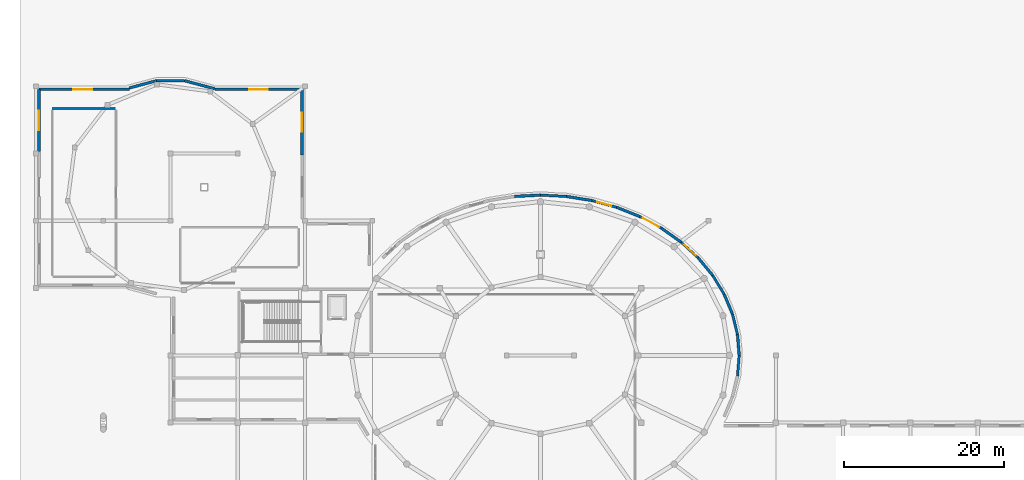
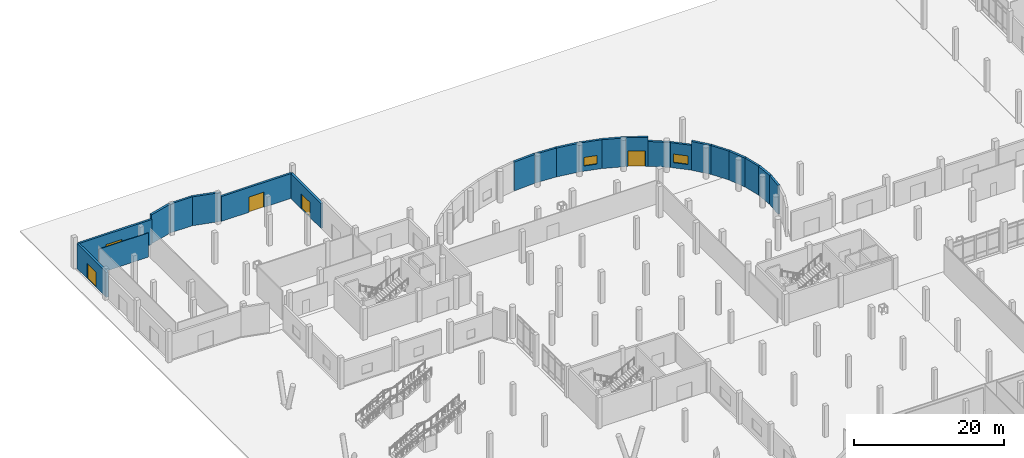
# One storey, part 49 of 64: 22 walls, 5 doors, 2 windows, 7 openings.
"""IFC4 building model written with IfcOpenShell, lengths in metres."""

from ifc_helpers import new_model, si_unit, derived_unit, direction, frame, frame_2d, origin, place, context, subcontext, project, spatial, rectangle, extrude, material, layer, layer_set, type_object, element, fill, save


model = new_model("IFC4")

# Units and contexts
model_context = context("Model", 3, precision=1e-05, world=origin(), true_north=direction((0.0, 1.0)))
body_context = subcontext(model_context, "Body", "Model", "MODEL_VIEW")
ifc_project = project(units=[si_unit("LENGTHUNIT", "METRE"), si_unit("AREAUNIT", "SQUARE_METRE"), si_unit("VOLUMEUNIT", "CUBIC_METRE"), si_unit("PLANEANGLEUNIT", "RADIAN"), si_unit("MASSUNIT", "GRAM", prefix="KILO"), derived_unit("THERMALTRANSMITTANCEUNIT", [(si_unit("POWERUNIT", "WATT"), 1), (si_unit("LENGTHUNIT", "METRE"), -2), (si_unit("THERMODYNAMICTEMPERATUREUNIT", "KELVIN"), -1)])], contexts=[model_context])

# Site, building, storey
site_placement = place(None, origin())
site = spatial("IfcSite", under=ifc_project, at=site_placement, CompositionType="ELEMENT")
building_placement = place(site_placement, origin())
building = spatial("IfcBuilding", under=site, at=building_placement, Name="Elbkamm Science Centre", CompositionType="ELEMENT")
storey_placement = place(building_placement, origin())
storey = spatial("IfcBuildingStorey", under=building, at=storey_placement, Name="L00", CompositionType="ELEMENT", Elevation=0.0)

# Wall, opening, door
ifc_material_1 = material(Name="White precast concrete C40/50", Category="concrete")
ifc_layer_1 = layer(ifc_material_1, 0.31005859375)
ifc_layer_set_1 = layer_set([ifc_layer_1], Name="White precast concrete C40/50")
wall_type_1 = type_object("IfcWallType", Name="WL-EXT-310", PredefinedType="SOLIDWALL", material=ifc_layer_set_1)
wall_1_placement = place(storey_placement, frame((0.3798828125, 100.419921875, 0.0), z_axis=(0.0, 0.0, 1.0), x_axis=(1.0, 0.0, 0.0)))
wall_1 = element("IfcWall", 1, at=wall_1_placement, inside=storey, type_object=wall_type_1, Name="L00 Exterior Wall 0101", PredefinedType="SOLIDWALL", context=body_context, shape_type="SweptSolid", body=[
    extrude(rectangle(XDim=11.294921875, YDim=0.31005859375, at=frame_2d((5.6474609375, 0.0))), origin(), (0.0, 0.0, 1.0), 4.080078125),
])
opening_1_placement = place(wall_1_placement, frame((4.239990234375, 0.0, 0.0)))
opening_1 = element("IfcOpeningElement", 2, at=opening_1_placement, cuts=wall_1, Name="Opening EX-05", PredefinedType="OPENING", context=body_context, shape_type="SweptSolid", body=[
    extrude(rectangle(XDim=2.39990234375, YDim=2.449951171875, at=frame_2d((1.199951171875, 1.22509765625))), frame((0.0, 0.1669921875, 0.0), z_axis=(0.0, -1.0, 0.0), x_axis=(1.0, 0.0, 0.0)), (0.0, 0.0, 1.0), 0.333984375),
])
ifc_material_2 = material(Name="Powder-coated aluminium and laminated glass", Category="aluminium")
ifc_layer_2 = layer(ifc_material_2, 0.050048828125)
ifc_layer_set_2 = layer_set([ifc_layer_2], Name="Powder-coated aluminium and laminated glass")
door_type_1 = type_object("IfcDoorType", Name="DR-EXIT-2400x2450", OperationType="DOUBLE_DOOR_SINGLE_SWING", PredefinedType="DOOR", material=ifc_layer_set_2)
door_1_placement = place(opening_1_placement, origin())
door_1 = element("IfcDoor", 3, at=door_1_placement, inside=storey, type_object=door_type_1, Name="Final Exit Pedestrian Door EX-05", OperationType="DOUBLE_DOOR_SINGLE_SWING", OverallHeight=2.449951171875, OverallWidth=2.39990234375, PredefinedType="DOOR", context=body_context, shape_type="SweptSolid", body=[
    extrude(rectangle(XDim=2.39990234375, YDim=2.449951171875, at=frame_2d((1.199951171875, 1.22509765625))), frame((0.0, 0.02490234375, 0.0), z_axis=(0.0, -1.0, 0.0), x_axis=(1.0, 0.0, 0.0)), (0.0, 0.0, 1.0), 0.050048828125),
])
fill(opening_1, door_1)

# Wall
wall_2_placement = place(storey_placement, frame((15.048583984375, 101.501953125, 0.0), z_axis=(0.0, 0.0, 1.0), x_axis=(1.0, 0.0, 0.0)))
element("IfcWall", 4, at=wall_2_placement, inside=storey, type_object=wall_type_1, Name="L00 Exterior Wall 0103", PredefinedType="SOLIDWALL", context=body_context, shape_type="SweptSolid", body=[
    extrude(rectangle(XDim=3.502685546875, YDim=0.31005859375, at=frame_2d((1.75146484375, 0.0))), origin(), (0.0, 0.0, 1.0), 4.699951171875),
])

# Wall, opening, door
wall_3_placement = place(storey_placement, frame((22.340087890625, 100.419921875, 0.0), z_axis=(0.0, 0.0, 1.0), x_axis=(1.0, 0.0, 0.0)))
wall_3 = element("IfcWall", 5, at=wall_3_placement, inside=storey, type_object=wall_type_1, Name="L00 Exterior Wall 0105", PredefinedType="SOLIDWALL", context=body_context, shape_type="SweptSolid", body=[
    extrude(rectangle(XDim=10.8798828125, YDim=0.31005859375, at=frame_2d((5.43994140625, 0.0))), origin(), (0.0, 0.0, 1.0), 4.050048828125),
])
opening_2_placement = place(wall_3_placement, frame((4.2900390625, 0.0, 0.0)))
opening_2 = element("IfcOpeningElement", 6, at=opening_2_placement, cuts=wall_3, Name="Opening EX-06", PredefinedType="OPENING", context=body_context, shape_type="SweptSolid", body=[
    extrude(rectangle(XDim=2.300048828125, YDim=2.5, at=frame_2d((1.14990234375, 1.25))), frame((0.0, 0.1669921875, 0.0), z_axis=(0.0, -1.0, 0.0), x_axis=(1.0, 0.0, 0.0)), (0.0, 0.0, 1.0), 0.333984375),
])
ifc_layer_3 = layer(ifc_material_2, 0.050048828125)
ifc_layer_set_3 = layer_set([ifc_layer_3], Name="Powder-coated aluminium and laminated glass")
door_type_2 = type_object("IfcDoorType", Name="DR-EXIT-2300x2500", OperationType="DOUBLE_DOOR_SINGLE_SWING", PredefinedType="DOOR", material=ifc_layer_set_3)
door_2_placement = place(opening_2_placement, origin())
door_2 = element("IfcDoor", 7, at=door_2_placement, inside=storey, type_object=door_type_2, Name="Final Exit Pedestrian Door EX-06", OperationType="DOUBLE_DOOR_SINGLE_SWING", OverallHeight=2.5, OverallWidth=2.300048828125, PredefinedType="DOOR", context=body_context, shape_type="SweptSolid", body=[
    extrude(rectangle(XDim=2.300048828125, YDim=2.5, at=frame_2d((1.14990234375, 1.25))), frame((0.0, 0.02490234375, 0.0), z_axis=(0.0, -1.0, 0.0), x_axis=(1.0, 0.0, 0.0)), (0.0, 0.0, 1.0), 0.050048828125),
])
fill(opening_2, door_2)

# Wall
wall_4_placement = place(storey_placement, frame((63.0, 87.219482421875, 0.0), z_axis=(0.0, 0.0, 1.0), x_axis=(0.998595559221, -0.052980270896, 0.0)))
element("IfcWall", 8, at=wall_4_placement, inside=storey, type_object=wall_type_1, Name="L00 Exterior Wall 0117", PredefinedType="SOLIDWALL", context=body_context, shape_type="SweptSolid", body=[
    extrude(rectangle(XDim=3.25341796875, YDim=0.31005859375, at=frame_2d((1.626708984375, 0.0))), origin(), (0.0, 0.0, 1.0), 4.699951171875),
])

# Wall, opening, window
wall_5_placement = place(storey_placement, frame((69.44140625, 86.532958984375, 0.0), z_axis=(0.0, 0.0, 1.0), x_axis=(0.964254212891, -0.264978891466, 0.0)))
wall_5 = element("IfcWall", 9, at=wall_5_placement, inside=storey, type_object=wall_type_1, Name="L00 Exterior Wall 0119", PredefinedType="SOLIDWALL", context=body_context, shape_type="SweptSolid", body=[
    extrude(rectangle(XDim=3.1953125, YDim=0.31005859375, at=frame_2d((1.59765625, 0.0))), origin(), (0.0, 0.0, 1.0), 4.699951171875),
])
opening_3_placement = place(wall_5_placement, frame((0.697509765625, 0.0, 0.85009765625)))
opening_3 = element("IfcOpeningElement", 10, at=opening_3_placement, cuts=wall_5, Name="Opening W-04", PredefinedType="OPENING", context=body_context, shape_type="SweptSolid", body=[
    extrude(rectangle(XDim=1.800048828125, YDim=1.39990234375, at=frame_2d((0.89990234375, 0.699951171875))), frame((0.0, 0.1669921875, 0.0), z_axis=(0.0, -1.0, 0.0), x_axis=(1.0, 0.0, 0.0)), (0.0, 0.0, 1.0), 0.333984375),
])
ifc_material_3 = material(Name="Thermally broken aluminium and triple solar glass", Category="aluminium")
ifc_layer_4 = layer(ifc_material_3, 0.06005859375)
ifc_layer_set_4 = layer_set([ifc_layer_4], Name="Thermally broken aluminium and triple solar glass")
window_type_1 = type_object("IfcWindowType", Name="WIN-1800x1400", PartitioningType="DOUBLE_PANEL_VERTICAL", PredefinedType="WINDOW", material=ifc_layer_set_4)
window_1_placement = place(opening_3_placement, origin())
window_1 = element("IfcWindow", 11, at=window_1_placement, inside=storey, type_object=window_type_1, Name="L00 Facade Window 0003", OverallHeight=1.39990234375, OverallWidth=1.800048828125, PartitioningType="SINGLE_PANEL", PredefinedType="WINDOW", context=body_context, shape_type="SweptSolid", body=[
    extrude(rectangle(XDim=1.800048828125, YDim=1.39990234375, at=frame_2d((0.89990234375, 0.699951171875))), frame((0.0, 0.030029296875, 0.0), z_axis=(0.0, -1.0, 0.0), x_axis=(1.0, 0.0, 0.0)), (0.0, 0.0, 1.0), 0.06005859375),
])
fill(opening_3, window_1)

# Wall, opening, door
wall_6_placement = place(storey_placement, frame((75.438720703125, 84.522216796875, 0.0), z_axis=(0.0, 0.0, 1.0), x_axis=(0.879573445019, -0.475763128897, 0.0)))
wall_6 = element("IfcWall", 12, at=wall_6_placement, inside=storey, type_object=wall_type_1, Name="L00 Exterior Wall 0121", PredefinedType="SOLIDWALL", context=body_context, shape_type="SweptSolid", body=[
    extrude(rectangle(XDim=3.07080078125, YDim=0.31005859375, at=frame_2d((1.535400390625, 0.0))), origin(), (0.0, 0.0, 1.0), 4.699951171875),
])
opening_4_placement = place(wall_6_placement, frame((0.385498046875, 0.0, 0.0)))
opening_4 = element("IfcOpeningElement", 13, at=opening_4_placement, cuts=wall_6, Name="Opening EX-12", PredefinedType="OPENING", context=body_context, shape_type="SweptSolid", body=[
    extrude(rectangle(XDim=2.300048828125, YDim=2.5, at=frame_2d((1.14990234375, 1.25))), frame((0.0, 0.1669921875, 0.0), z_axis=(0.0, -1.0, 0.0), x_axis=(1.0, 0.0, 0.0)), (0.0, 0.0, 1.0), 0.333984375),
])
door_3_placement = place(opening_4_placement, origin())
door_3 = element("IfcDoor", 14, at=door_3_placement, inside=storey, type_object=door_type_2, Name="Final Exit Pedestrian Door EX-12", OperationType="DOUBLE_DOOR_SINGLE_SWING", OverallHeight=2.5, OverallWidth=2.300048828125, PredefinedType="DOOR", context=body_context, shape_type="SweptSolid", body=[
    extrude(rectangle(XDim=2.300048828125, YDim=2.5, at=frame_2d((1.14990234375, 1.25))), frame((0.0, 0.02490234375, 0.0), z_axis=(0.0, -1.0, 0.0), x_axis=(1.0, 0.0, 0.0)), (0.0, 0.0, 1.0), 0.050048828125),
])
fill(opening_4, door_3)

# Wall, opening, window
wall_7_placement = place(storey_placement, frame((80.579345703125, 81.329345703125, 0.0), z_axis=(0.0, 0.0, 1.0), x_axis=(0.734755157667, -0.678332409872, 0.0)))
wall_7 = element("IfcWall", 15, at=wall_7_placement, inside=storey, type_object=wall_type_1, Name="L00 Exterior Wall 0123", PredefinedType="SOLIDWALL", context=body_context, shape_type="SweptSolid", body=[
    extrude(rectangle(XDim=2.90771484375, YDim=0.31005859375, at=frame_2d((1.453857421875, 0.0))), origin(), (0.0, 0.0, 1.0), 4.050048828125),
])
opening_5_placement = place(wall_7_placement, frame((0.453857421875, 0.0, 0.85009765625)))
opening_5 = element("IfcOpeningElement", 16, at=opening_5_placement, cuts=wall_7, Name="Opening W-05", PredefinedType="OPENING", context=body_context, shape_type="SweptSolid", body=[
    extrude(rectangle(XDim=2.0, YDim=1.39990234375, at=frame_2d((1.0, 0.699951171875))), frame((0.0, 0.1669921875, 0.0), z_axis=(0.0, -1.0, 0.0), x_axis=(1.0, 0.0, 0.0)), (0.0, 0.0, 1.0), 0.333984375),
])
ifc_layer_5 = layer(ifc_material_3, 0.06005859375)
ifc_layer_set_5 = layer_set([ifc_layer_5], Name="Thermally broken aluminium and triple solar glass")
window_type_2 = type_object("IfcWindowType", Name="WIN-2000x1400", PartitioningType="DOUBLE_PANEL_VERTICAL", PredefinedType="WINDOW", material=ifc_layer_set_5)
window_2_placement = place(opening_5_placement, origin())
window_2 = element("IfcWindow", 17, at=window_2_placement, inside=storey, type_object=window_type_2, Name="L00 Facade Window 0004", OverallHeight=1.39990234375, OverallWidth=2.0, PartitioningType="SINGLE_PANEL", PredefinedType="WINDOW", context=body_context, shape_type="SweptSolid", body=[
    extrude(rectangle(XDim=2.0, YDim=1.39990234375, at=frame_2d((1.0, 0.699951171875))), frame((0.0, 0.030029296875, 0.0), z_axis=(0.0, -1.0, 0.0), x_axis=(1.0, 0.0, 0.0)), (0.0, 0.0, 1.0), 0.06005859375),
])
fill(opening_5, window_2)

# Walls
wall_8_placement = place(storey_placement, frame((84.513427734375, 77.17919921875, 0.0), z_axis=(0.0, 0.0, 1.0), x_axis=(0.520248635804, -0.854014845857, 0.0)))
element("IfcWall", 18, at=wall_8_placement, inside=storey, type_object=wall_type_1, Name="L00 Exterior Wall 0125", PredefinedType="SOLIDWALL", context=body_context, shape_type="SweptSolid", body=[
    extrude(rectangle(XDim=2.74658203125, YDim=0.31005859375, at=frame_2d((1.373291015625, 0.0))), origin(), (0.0, 0.0, 1.0), 4.699951171875),
])
wall_9_placement = place(storey_placement, frame((86.9794921875, 72.3603515625, 0.0), z_axis=(0.0, 0.0, 1.0), x_axis=(0.238587589833, -0.971120982153, 0.0)))
element("IfcWall", 19, at=wall_9_placement, inside=storey, type_object=wall_type_1, Name="L00 Exterior Wall 0127", PredefinedType="SOLIDWALL", context=body_context, shape_type="SweptSolid", body=[
    extrude(rectangle(XDim=2.635009765625, YDim=0.31005859375, at=frame_2d((1.3173828125, 0.0))), origin(), (0.0, 0.0, 1.0), 4.699951171875),
])
wall_10_placement = place(storey_placement, frame((87.81884765625, 67.199951171875, 0.0), z_axis=(0.0, 0.0, 1.0), x_axis=(-0.080722941736, -0.996736578378, 0.0)))
element("IfcWall", 20, at=wall_10_placement, inside=storey, type_object=wall_type_1, Name="L00 Exterior Wall 0129", PredefinedType="SOLIDWALL", context=body_context, shape_type="SweptSolid", body=[
    extrude(rectangle(XDim=2.610107421875, YDim=0.31005859375, at=frame_2d((1.30517578125, 0.0))), origin(), (0.0, 0.0, 1.0), 4.699951171875),
])

# Wall, opening, door
ifc_layer_6 = layer(ifc_material_1, 0.340087890625)
ifc_layer_set_6 = layer_set([ifc_layer_6], Name="White precast concrete C40/50")
wall_type_2 = type_object("IfcWallType", Name="WL-EXT-340", PredefinedType="SOLIDWALL", material=ifc_layer_set_6)
wall_11_placement = place(storey_placement, frame((0.3798828125, 92.63916015625, 0.0), z_axis=(0.0, 0.0, 1.0), x_axis=(0.0, 1.0, 0.0)))
wall_11 = element("IfcWall", 21, at=wall_11_placement, inside=storey, type_object=wall_type_2, Name="L00 Exterior Wall 0100", PredefinedType="SOLIDWALL", context=body_context, shape_type="SweptSolid", body=[
    extrude(rectangle(XDim=7.78076171875, YDim=0.340087890625, at=frame_2d((3.890380859375, 0.0))), origin(), (0.0, 0.0, 1.0), 4.080078125),
])
opening_6_placement = place(wall_11_placement, frame((2.6904296875, 0.0, 0.0)))
opening_6 = element("IfcOpeningElement", 22, at=opening_6_placement, cuts=wall_11, Name="Opening EX-04", PredefinedType="OPENING", context=body_context, shape_type="SweptSolid", body=[
    extrude(rectangle(XDim=2.39990234375, YDim=2.449951171875, at=frame_2d((1.199951171875, 1.22509765625))), frame((0.0, 0.18212890625, 0.0), z_axis=(0.0, -1.0, 0.0), x_axis=(1.0, 0.0, 0.0)), (0.0, 0.0, 1.0), 0.364013671875),
])
door_4_placement = place(opening_6_placement, origin())
door_4 = element("IfcDoor", 23, at=door_4_placement, inside=storey, type_object=door_type_1, Name="Final Exit Pedestrian Door EX-04", OperationType="DOUBLE_DOOR_SINGLE_SWING", OverallHeight=2.449951171875, OverallWidth=2.39990234375, PredefinedType="DOOR", context=body_context, shape_type="SweptSolid", body=[
    extrude(rectangle(XDim=2.39990234375, YDim=2.449951171875, at=frame_2d((1.199951171875, 1.22509765625))), frame((0.0, 0.02490234375, 0.0), z_axis=(0.0, -1.0, 0.0), x_axis=(1.0, 0.0, 0.0)), (0.0, 0.0, 1.0), 0.050048828125),
])
fill(opening_6, door_4)

# Walls
wall_12_placement = place(storey_placement, frame((11.665771484375, 100.595458984375, 0.0), z_axis=(0.0, 0.0, 1.0), x_axis=(0.965920667636, 0.25883829669, 0.0)))
element("IfcWall", 24, at=wall_12_placement, inside=storey, type_object=wall_type_2, Name="L00 Exterior Wall 0102", PredefinedType="SOLIDWALL", context=body_context, shape_type="SweptSolid", body=[
    extrude(rectangle(XDim=3.502197265625, YDim=0.340087890625, at=frame_2d((1.7509765625, 0.0))), origin(), (0.0, 0.0, 1.0), 4.699951171875),
])
wall_13_placement = place(storey_placement, frame((18.55126953125, 101.501953125, 0.0), z_axis=(0.0, 0.0, 1.0), x_axis=(0.965925780955, -0.258819214292, 0.0)))
element("IfcWall", 25, at=wall_13_placement, inside=storey, type_object=wall_type_2, Name="L00 Exterior Wall 0104", PredefinedType="SOLIDWALL", context=body_context, shape_type="SweptSolid", body=[
    extrude(rectangle(XDim=3.91455078125, YDim=0.340087890625, at=frame_2d((1.957275390625, 0.0))), origin(), (0.0, 0.0, 1.0), 4.699951171875),
])

# Wall, opening, door
wall_14_placement = place(storey_placement, frame((33.219970703125, 100.419921875, 0.0), z_axis=(0.0, 0.0, 1.0), x_axis=(0.0, -1.0, 0.0)))
wall_14 = element("IfcWall", 26, at=wall_14_placement, inside=storey, type_object=wall_type_2, Name="L00 Exterior Wall 0106", PredefinedType="SOLIDWALL", context=body_context, shape_type="SweptSolid", body=[
    extrude(rectangle(XDim=8.2099609375, YDim=0.340087890625, at=frame_2d((4.10498046875, 0.0))), origin(), (0.0, 0.0, 1.0), 4.050048828125),
])
opening_7_placement = place(wall_14_placement, frame((2.905029296875, 0.0, 0.0)))
opening_7 = element("IfcOpeningElement", 27, at=opening_7_placement, cuts=wall_14, Name="Opening EX-07", PredefinedType="OPENING", context=body_context, shape_type="SweptSolid", body=[
    extrude(rectangle(XDim=2.39990234375, YDim=2.449951171875, at=frame_2d((1.199951171875, 1.22509765625))), frame((0.0, 0.18212890625, 0.0), z_axis=(0.0, -1.0, 0.0), x_axis=(1.0, 0.0, 0.0)), (0.0, 0.0, 1.0), 0.364013671875),
])
door_5_placement = place(opening_7_placement, origin())
door_5 = element("IfcDoor", 28, at=door_5_placement, inside=storey, type_object=door_type_1, Name="Final Exit Pedestrian Door EX-07", OperationType="DOUBLE_DOOR_SINGLE_SWING", OverallHeight=2.449951171875, OverallWidth=2.39990234375, PredefinedType="DOOR", context=body_context, shape_type="SweptSolid", body=[
    extrude(rectangle(XDim=2.39990234375, YDim=2.449951171875, at=frame_2d((1.199951171875, 1.22509765625))), frame((0.0, 0.02490234375, 0.0), z_axis=(0.0, -1.0, 0.0), x_axis=(1.0, 0.0, 0.0)), (0.0, 0.0, 1.0), 0.050048828125),
])
fill(opening_7, door_5)

# Walls
wall_15_placement = place(storey_placement, frame((59.751220703125, 87.047119140625, 0.0), z_axis=(0.0, 0.0, 1.0), x_axis=(0.998595559221, 0.052980270896, 0.0)))
element("IfcWall", 29, at=wall_15_placement, inside=storey, type_object=wall_type_2, Name="L00 Exterior Wall 0116", PredefinedType="SOLIDWALL", context=body_context, shape_type="SweptSolid", body=[
    extrude(rectangle(XDim=3.25341796875, YDim=0.340087890625, at=frame_2d((1.626708984375, 0.0))), origin(), (0.0, 0.0, 1.0), 4.699951171875),
])
wall_16_placement = place(storey_placement, frame((66.248779296875, 87.047119140625, 0.0), z_axis=(0.0, 0.0, 1.0), x_axis=(0.987278994565, -0.158997443034, 0.0)))
element("IfcWall", 30, at=wall_16_placement, inside=storey, type_object=wall_type_2, Name="L00 Exterior Wall 0118", PredefinedType="SOLIDWALL", context=body_context, shape_type="SweptSolid", body=[
    extrude(rectangle(XDim=3.233642578125, YDim=0.340087890625, at=frame_2d((1.61669921875, 0.0))), origin(), (0.0, 0.0, 1.0), 4.699951171875),
])
wall_17_placement = place(storey_placement, frame((72.5224609375, 85.686279296875, 0.0), z_axis=(0.0, 0.0, 1.0), x_axis=(0.928744558403, -0.370720305941, 0.0)))
element("IfcWall", 31, at=wall_17_placement, inside=storey, type_object=wall_type_2, Name="L00 Exterior Wall 0120", PredefinedType="SOLIDWALL", context=body_context, shape_type="SweptSolid", body=[
    extrude(rectangle(XDim=3.139892578125, YDim=0.340087890625, at=frame_2d((1.56982421875, 0.0))), origin(), (0.0, 0.0, 1.0), 4.699951171875),
])
wall_18_placement = place(storey_placement, frame((78.1396484375, 83.061279296875, 0.0), z_axis=(0.0, 0.0, 1.0), x_axis=(0.815422656684, -0.578866038879, 0.0)))
element("IfcWall", 32, at=wall_18_placement, inside=storey, type_object=wall_type_2, Name="L00 Exterior Wall 0122", PredefinedType="SOLIDWALL", context=body_context, shape_type="SweptSolid", body=[
    extrude(rectangle(XDim=2.991943359375, YDim=0.340087890625, at=frame_2d((1.49609375, 0.0))), origin(), (0.0, 0.0, 1.0), 4.050048828125),
])
wall_19_placement = place(storey_placement, frame((82.7158203125, 79.35693359375, 0.0), z_axis=(0.0, 0.0, 1.0), x_axis=(0.636588707479, -0.771203486448, 0.0)))
element("IfcWall", 33, at=wall_19_placement, inside=storey, type_object=wall_type_2, Name="L00 Exterior Wall 0124", PredefinedType="SOLIDWALL", context=body_context, shape_type="SweptSolid", body=[
    extrude(rectangle(XDim=2.82373046875, YDim=0.340087890625, at=frame_2d((1.411865234375, 0.0))), origin(), (0.0, 0.0, 1.0), 4.699951171875),
])
wall_20_placement = place(storey_placement, frame((85.9423828125, 74.83349609375, 0.0), z_axis=(0.0, 0.0, 1.0), x_axis=(0.38672168134, -0.922196476453, 0.0)))
element("IfcWall", 34, at=wall_20_placement, inside=storey, type_object=wall_type_2, Name="L00 Exterior Wall 0126", PredefinedType="SOLIDWALL", context=body_context, shape_type="SweptSolid", body=[
    extrude(rectangle(XDim=2.681884765625, YDim=0.340087890625, at=frame_2d((1.3408203125, 0.0))), origin(), (0.0, 0.0, 1.0), 4.699951171875),
])
wall_21_placement = place(storey_placement, frame((87.608154296875, 69.801513671875, 0.0), z_axis=(0.0, 0.0, 1.0), x_axis=(0.080722941736, -0.996736578378, 0.0)))
element("IfcWall", 35, at=wall_21_placement, inside=storey, type_object=wall_type_2, Name="L00 Exterior Wall 0128", PredefinedType="SOLIDWALL", context=body_context, shape_type="SweptSolid", body=[
    extrude(rectangle(XDim=2.610107421875, YDim=0.340087890625, at=frame_2d((1.30517578125, 0.0))), origin(), (0.0, 0.0, 1.0), 4.699951171875),
])
ifc_material_4 = material(Name="Drywall service partition", Category="gypsum")
ifc_layer_7 = layer(ifc_material_4, 0.10009765625)
ifc_layer_set_7 = layer_set([ifc_layer_7], Name="Drywall service partition")
wall_type_3 = type_object("IfcWallType", Name="WL-PART-100", PredefinedType="PARTITIONING", material=ifc_layer_set_7)
wall_22_placement = place(storey_placement, frame((2.179931640625, 98.0, 0.0), z_axis=(0.0, 0.0, 1.0), x_axis=(1.0, 0.0, 0.0)))
element("IfcWall", 36, at=wall_22_placement, inside=storey, type_object=wall_type_3, Name="L00 Visitor Ticketing and Cloakroom Hall Partition 0055", PredefinedType="PARTITIONING", context=body_context, shape_type="SweptSolid", body=[
    extrude(rectangle(XDim=7.64013671875, YDim=0.10009765625, at=frame_2d((3.820068359375, 0.0))), origin(), (0.0, 0.0, 1.0), 3.949951171875),
])

save(model, "model.ifc")
